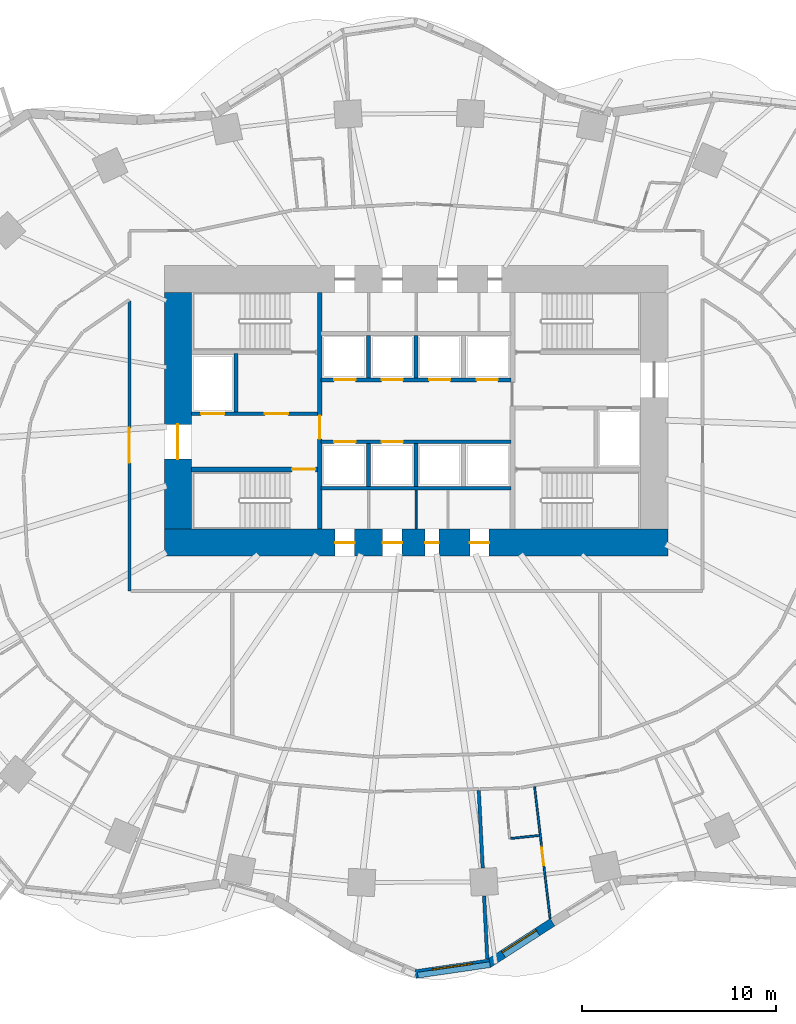
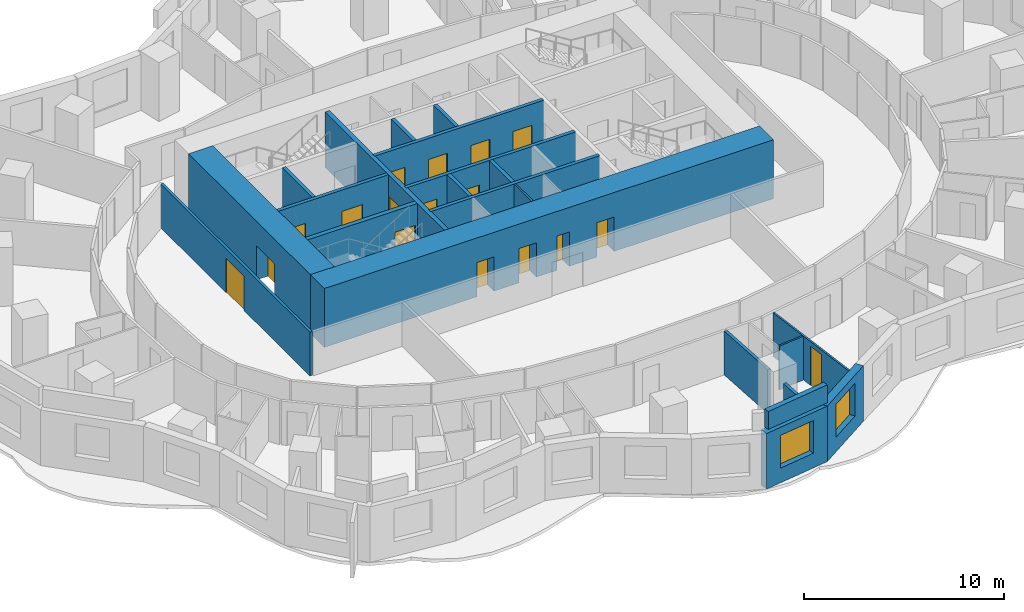
# One storey, part 5 of 11: 22 walls, 17 doors, 2 windows, 19 openings.
"""IFC4 building model written with IfcOpenShell, lengths in metres."""

from ifc_helpers import new_model, si_unit, direction, frame, frame_2d, origin, place, context, subcontext, project, spatial, rectangle, extrude, material, layer, layer_set, type_object, element, fill, save


model = new_model("IFC4")

# Units and contexts
model_context = context("Model", 3, precision=1e-05, world=origin(), true_north=direction((0.0, 1.0)))
body_context = subcontext(model_context, "Body", "Model", "MODEL_VIEW")
ifc_project = project(units=[si_unit("LENGTHUNIT", "METRE"), si_unit("AREAUNIT", "SQUARE_METRE"), si_unit("VOLUMEUNIT", "CUBIC_METRE"), si_unit("PLANEANGLEUNIT", "RADIAN"), si_unit("MASSUNIT", "GRAM", prefix="KILO")], contexts=[model_context])

# Site, building, storey
site_placement = place(None, origin())
site = spatial("IfcSite", under=ifc_project, at=site_placement, CompositionType="ELEMENT")
building_placement = place(site_placement, origin())
building = spatial("IfcBuilding", under=site, at=building_placement, Name="Rubra Terraces Tower", CompositionType="ELEMENT")
storey_placement = place(building_placement, frame((0.0, 0.0, 41.10009765625)))
storey = spatial("IfcBuildingStorey", under=building, at=storey_placement, Name="L07", CompositionType="ELEMENT", Elevation=41.10009765625)

# Walls
ifc_material_1 = material(Name="Twin plasterboard on staggered steel stud, acoustic mineral wool", Category="steel")
ifc_layer_1 = layer(ifc_material_1, 0.175048828125)
ifc_layer_set_1 = layer_set([ifc_layer_1], Name="Twin plasterboard on staggered steel stud, acoustic mineral wool")
wall_type_1 = type_object("IfcWallType", Name="ACOUSTIC PARTY WALL 175", PredefinedType="PARTITIONING", material=ifc_layer_set_1)
wall_1_placement = place(storey_placement, frame((3.67822265625, -23.810302734375, 0.0), z_axis=(0.0, 0.0, 1.0), x_axis=(-0.050406902628, 0.998728764063, 0.0)))
element("IfcWall", 1, at=wall_1_placement, inside=storey, type_object=wall_type_1, Name="PARTITION", PredefinedType="PARTITIONING", context=body_context, shape_type="SweptSolid", body=[
    extrude(rectangle(XDim=3.269287109375, YDim=0.175048828125, at=frame_2d((1.634765625, 0.0))), origin(), (0.0, 0.0, 1.0), 2.679931640625),
])
wall_2_placement = place(storey_placement, frame((3.44091796875, -19.10693359375, 0.0), z_axis=(0.0, 0.0, 1.0), x_axis=(-0.050399621173, 0.998729131539, 0.0)))
element("IfcWall", 2, at=wall_2_placement, inside=storey, type_object=wall_type_1, Name="PARTITION", PredefinedType="PARTITIONING", context=body_context, shape_type="SweptSolid", body=[
    extrude(rectangle(XDim=4.006103515625, YDim=0.175048828125, at=frame_2d((2.0029296875, 0.0))), origin(), (0.0, 0.0, 1.0), 2.679931640625),
])

# Wall, opening, window
ifc_material_2 = material(Name="Brick masonry red-brown", Category="masonry")
ifc_layer_2 = layer(ifc_material_2, 0.449951171875)
ifc_layer_set_2 = layer_set([ifc_layer_2], Name="Brick masonry red-brown")
wall_type_2 = type_object("IfcWallType", Name="Brick facade wall 450", PredefinedType="SOLIDWALL", material=ifc_layer_set_2)
wall_3_placement = place(storey_placement, frame((-0.032470703125, -24.58447265625, 0.0), z_axis=(0.0, 0.0, 1.0), x_axis=(0.989495330387, 0.144564833698, 0.0)))
wall_3 = element("IfcWall", 3, at=wall_3_placement, inside=storey, type_object=wall_type_2, Name="Facade wall L07 bay 31", PredefinedType="SOLIDWALL", context=body_context, shape_type="SweptSolid", body=[
    extrude(rectangle(XDim=3.880859375, YDim=0.449951171875, at=frame_2d((1.9404296875, 0.0))), origin(), (0.0, 0.0, 1.0), 3.39990234375),
])
opening_1_placement = place(wall_3_placement, frame((0.890380859375, 0.0, 0.89990234375)))
opening_1 = element("IfcOpeningElement", 4, at=opening_1_placement, cuts=wall_3, Name="Opening W1", PredefinedType="OPENING", context=body_context, shape_type="SweptSolid", body=[
    extrude(rectangle(XDim=2.10009765625, YDim=2.0, at=frame_2d((1.050048828125, 1.0))), frame((0.0, 0.23486328125, 0.0), z_axis=(0.0, -1.0, 0.0), x_axis=(1.0, 0.0, 0.0)), (0.0, 0.0, 1.0), 0.469970703125),
])
ifc_material_3 = material(Name="Clear glass in aluminium frame", Category="aluminium")
window_type = type_object("IfcWindowType", Name="Fixed deep-set window 2100 x 2000", PartitioningType="SINGLE_PANEL", PredefinedType="WINDOW", material=ifc_material_3)
window_1_placement = place(opening_1_placement, origin())
window_1 = element("IfcWindow", 5, at=window_1_placement, inside=storey, type_object=window_type, Name="Window L07 bay 31", OverallHeight=2.0, OverallWidth=2.10009765625, PartitioningType="SINGLE_PANEL", PredefinedType="WINDOW", context=body_context, shape_type="SweptSolid", body=[
    extrude(rectangle(XDim=2.10009765625, YDim=2.0, at=frame_2d((1.050048828125, 1.0))), frame((0.0, 0.135009765625, 0.0), z_axis=(0.0, -1.0, 0.0), x_axis=(1.0, 0.0, 0.0)), (0.0, 0.0, 1.0), 0.06005859375),
])
fill(opening_1, window_1)

wall_4_placement = place(storey_placement, frame((3.720703125, -24.055419921875, 0.0), z_axis=(0.0, 0.0, 1.0), x_axis=(0.840404438766, 0.54195975801, 0.0)))
wall_4 = element("IfcWall", 6, at=wall_4_placement, inside=storey, type_object=wall_type_2, Name="Facade wall L07 bay 32", PredefinedType="SOLIDWALL", context=body_context, shape_type="SweptSolid", body=[
    extrude(rectangle(XDim=3.960205078125, YDim=0.449951171875, at=frame_2d((1.97998046875, 0.0))), origin(), (0.0, 0.0, 1.0), 3.39990234375),
])
opening_2_placement = place(wall_4_placement, frame((0.929931640625, 0.0, 0.89990234375)))
opening_2 = element("IfcOpeningElement", 7, at=opening_2_placement, cuts=wall_4, Name="Opening W1", PredefinedType="OPENING", context=body_context, shape_type="SweptSolid", body=[
    extrude(rectangle(XDim=2.10009765625, YDim=2.0, at=frame_2d((1.050048828125, 1.0))), frame((0.0, 0.23486328125, 0.0), z_axis=(0.0, -1.0, 0.0), x_axis=(1.0, 0.0, 0.0)), (0.0, 0.0, 1.0), 0.469970703125),
])
window_2_placement = place(opening_2_placement, origin())
window_2 = element("IfcWindow", 8, at=window_2_placement, inside=storey, type_object=window_type, Name="Window L07 bay 32", OverallHeight=2.0, OverallWidth=2.10009765625, PartitioningType="SINGLE_PANEL", PredefinedType="WINDOW", context=body_context, shape_type="SweptSolid", body=[
    extrude(rectangle(XDim=2.10009765625, YDim=2.0, at=frame_2d((1.050048828125, 1.0))), frame((0.0, 0.135009765625, 0.0), z_axis=(0.0, -1.0, 0.0), x_axis=(1.0, 0.0, 0.0)), (0.0, 0.0, 1.0), 0.06005859375),
])
fill(opening_2, window_2)

# Wall
ifc_layer_3 = layer(ifc_material_2, 0.300048828125)
ifc_layer_set_3 = layer_set([ifc_layer_3], Name="Brick masonry red-brown")
wall_type_3 = type_object("IfcWallType", Name="Brick parapet 300", PredefinedType="PARAPET", material=ifc_layer_set_3)
wall_5_placement = place(storey_placement, frame((0.090576171875, -24.64208984375, 3.599853515625), z_axis=(0.0, 0.0, 1.0), x_axis=(0.989502691406, 0.144514441145, 0.0)))
element("IfcWall", 9, at=wall_5_placement, inside=storey, type_object=wall_type_3, Name="Parapet L07 bay 31", PredefinedType="PARAPET", context=body_context, shape_type="SweptSolid", body=[
    extrude(rectangle(XDim=3.767333984375, YDim=0.300048828125, at=frame_2d((1.8837890625, 0.0))), origin(), (0.0, 0.0, 1.0), 1.10009765625),
])

# Wall, openings, doors
ifc_material_4 = material(Name="Concrete C70", Category="concrete")
ifc_layer_4 = layer(ifc_material_4, 1.39990234375)
ifc_layer_set_4 = layer_set([ifc_layer_4], Name="Concrete C70")
wall_type_4 = type_object("IfcWallType", Name="CORE WALL 1400 C70", PredefinedType="SHEAR", material=ifc_layer_set_4)
wall_6_placement = place(storey_placement, frame((-13.0, -2.300048828125, 0.0), z_axis=(0.0, 0.0, 1.0), x_axis=(1.0, 0.0, 0.0)))
wall_6 = element("IfcWall", 10, at=wall_6_placement, inside=storey, type_object=wall_type_4, Name="CORE WALL S L07", PredefinedType="SHEAR", context=body_context, shape_type="SweptSolid", body=[
    extrude(rectangle(XDim=26.0, YDim=1.39990234375, at=frame_2d((13.0, 0.0))), origin(), (0.0, 0.0, 1.0), 3.599853515625),
])
opening_3_placement = place(wall_6_placement, frame((8.824951171875, 0.0, 0.0)))
opening_3 = element("IfcOpeningElement", 11, at=opening_3_placement, cuts=wall_6, Name="Opening L07.C19", PredefinedType="OPENING", context=body_context, shape_type="SweptSolid", body=[
    extrude(rectangle(XDim=1.0, YDim=2.10009765625, at=frame_2d((0.5, 1.050048828125))), frame((0.0, 0.7099609375, 0.0), z_axis=(0.0, -1.0, 0.0), x_axis=(1.0, 0.0, 0.0)), (0.0, 0.0, 1.0), 1.419921875),
])
opening_4_placement = place(wall_6_placement, frame((11.27490234375, 0.0, 0.0)))
opening_4 = element("IfcOpeningElement", 12, at=opening_4_placement, cuts=wall_6, Name="Opening L07.C20", PredefinedType="OPENING", context=body_context, shape_type="SweptSolid", body=[
    extrude(rectangle(XDim=1.0, YDim=2.10009765625, at=frame_2d((0.5, 1.050048828125))), frame((0.0, 0.7099609375, 0.0), z_axis=(0.0, -1.0, 0.0), x_axis=(1.0, 0.0, 0.0)), (0.0, 0.0, 1.0), 1.419921875),
])
opening_5_placement = place(wall_6_placement, frame((13.47509765625, 0.0, 0.0)))
opening_5 = element("IfcOpeningElement", 13, at=opening_5_placement, cuts=wall_6, Name="Opening L07.C21", PredefinedType="OPENING", context=body_context, shape_type="SweptSolid", body=[
    extrude(rectangle(XDim=0.699951171875, YDim=2.10009765625, at=frame_2d((0.35009765625, 1.050048828125))), frame((0.0, 0.7099609375, 0.0), z_axis=(0.0, -1.0, 0.0), x_axis=(1.0, 0.0, 0.0)), (0.0, 0.0, 1.0), 1.419921875),
])
opening_6_placement = place(wall_6_placement, frame((15.77490234375, 0.0, 0.0)))
opening_6 = element("IfcOpeningElement", 14, at=opening_6_placement, cuts=wall_6, Name="Opening L07.C22", PredefinedType="OPENING", context=body_context, shape_type="SweptSolid", body=[
    extrude(rectangle(XDim=1.0, YDim=2.10009765625, at=frame_2d((0.5, 1.050048828125))), frame((0.0, 0.7099609375, 0.0), z_axis=(0.0, -1.0, 0.0), x_axis=(1.0, 0.0, 0.0)), (0.0, 0.0, 1.0), 1.419921875),
])
ifc_material_5 = material(Name="Painted steel", Category="steel")
door_type_1 = type_object("IfcDoorType", Name="Fire door 1000x2100 single", OperationType="NOTDEFINED", PredefinedType="DOOR", material=ifc_material_5)
door_1_placement = place(opening_3_placement, origin())
door_1 = element("IfcDoor", 15, at=door_1_placement, inside=storey, type_object=door_type_1, Name="Guest pantry door", OperationType="SINGLE_SWING_LEFT", OverallHeight=2.10009765625, OverallWidth=1.0, PredefinedType="DOOR", context=body_context, shape_type="SweptSolid", body=[
    extrude(rectangle(XDim=1.0, YDim=2.10009765625, at=frame_2d((0.5, 1.050048828125))), frame((0.0, 0.02490234375, 0.0), z_axis=(0.0, -1.0, 0.0), x_axis=(1.0, 0.0, 0.0)), (0.0, 0.0, 1.0), 0.050048828125),
])
fill(opening_3, door_1)
door_2_placement = place(opening_4_placement, origin())
door_2 = element("IfcDoor", 16, at=door_2_placement, inside=storey, type_object=door_type_1, Name="Linen store door", OperationType="SINGLE_SWING_RIGHT", OverallHeight=2.10009765625, OverallWidth=1.0, PredefinedType="DOOR", context=body_context, shape_type="SweptSolid", body=[
    extrude(rectangle(XDim=1.0, YDim=2.10009765625, at=frame_2d((0.5, 1.050048828125))), frame((0.0, 0.02490234375, 0.0), z_axis=(0.0, -1.0, 0.0), x_axis=(1.0, 0.0, 0.0)), (0.0, 0.0, 1.0), 0.050048828125),
])
fill(opening_4, door_2)
door_3_placement = place(opening_6_placement, origin())
door_3 = element("IfcDoor", 17, at=door_3_placement, inside=storey, type_object=door_type_1, Name="Housekeeping store door", OperationType="SINGLE_SWING_RIGHT", OverallHeight=2.10009765625, OverallWidth=1.0, PredefinedType="DOOR", context=body_context, shape_type="SweptSolid", body=[
    extrude(rectangle(XDim=1.0, YDim=2.10009765625, at=frame_2d((0.5, 1.050048828125))), frame((0.0, 0.02490234375, 0.0), z_axis=(0.0, -1.0, 0.0), x_axis=(1.0, 0.0, 0.0)), (0.0, 0.0, 1.0), 0.050048828125),
])
fill(opening_6, door_3)
door_type_2 = type_object("IfcDoorType", Name="Riser access door 700x2100 single", OperationType="NOTDEFINED", PredefinedType="DOOR", material=ifc_material_5)
door_4_placement = place(opening_5_placement, origin())
door_4 = element("IfcDoor", 18, at=door_4_placement, inside=storey, type_object=door_type_2, Name="Electrical riser room door", OperationType="SINGLE_SWING_LEFT", OverallHeight=2.10009765625, OverallWidth=0.699951171875, PredefinedType="DOOR", context=body_context, shape_type="SweptSolid", body=[
    extrude(rectangle(XDim=0.699951171875, YDim=2.10009765625, at=frame_2d((0.35009765625, 1.050048828125))), frame((0.0, 0.02490234375, 0.0), z_axis=(0.0, -1.0, 0.0), x_axis=(1.0, 0.0, 0.0)), (0.0, 0.0, 1.0), 0.050048828125),
])
fill(opening_5, door_4)

# Wall, opening, door
wall_7_placement = place(storey_placement, frame((-12.300048828125, -1.60009765625, 0.0), z_axis=(0.0, 0.0, 1.0), x_axis=(0.0, 1.0, 0.0)))
wall_7 = element("IfcWall", 19, at=wall_7_placement, inside=storey, type_object=wall_type_4, Name="CORE WALL W L07", PredefinedType="SHEAR", context=body_context, shape_type="SweptSolid", body=[
    extrude(rectangle(XDim=12.2001953125, YDim=1.39990234375, at=frame_2d((6.10009765625, 0.0))), origin(), (0.0, 0.0, 1.0), 3.599853515625),
])
opening_7_placement = place(wall_7_placement, frame((3.60009765625, 0.0, 0.0)))
opening_7 = element("IfcOpeningElement", 20, at=opening_7_placement, cuts=wall_7, Name="Opening L07.C01", PredefinedType="OPENING", context=body_context, shape_type="SweptSolid", body=[
    extrude(rectangle(XDim=1.800048828125, YDim=2.10009765625, at=frame_2d((0.89990234375, 1.050048828125))), frame((0.0, 0.7099609375, 0.0), z_axis=(0.0, -1.0, 0.0), x_axis=(1.0, 0.0, 0.0)), (0.0, 0.0, 1.0), 1.419921875),
])
door_type_3 = type_object("IfcDoorType", Name="Fire door 1800x2100 double", OperationType="NOTDEFINED", PredefinedType="DOOR", material=ifc_material_5)
door_5_placement = place(opening_7_placement, origin())
door_5 = element("IfcDoor", 21, at=door_5_placement, inside=storey, type_object=door_type_3, Name="Core entrance door FF1", OperationType="DOUBLE_DOOR_SINGLE_SWING", OverallHeight=2.10009765625, OverallWidth=1.800048828125, PredefinedType="DOOR", context=body_context, shape_type="SweptSolid", body=[
    extrude(rectangle(XDim=1.800048828125, YDim=2.10009765625, at=frame_2d((0.89990234375, 1.050048828125))), frame((0.0, 0.02490234375, 0.0), z_axis=(0.0, -1.0, 0.0), x_axis=(1.0, 0.0, 0.0)), (0.0, 0.0, 1.0), 0.050048828125),
])
fill(opening_7, door_5)

ifc_material_6 = material(Name="Plasterboard on steel stud, mineral wool infill", Category="steel")
ifc_layer_5 = layer(ifc_material_6, 0.14990234375)
ifc_layer_set_5 = layer_set([ifc_layer_5], Name="Plasterboard on steel stud, mineral wool infill")
wall_type_5 = type_object("IfcWallType", Name="CORRIDOR PARTITION 150", PredefinedType="PARTITIONING", material=ifc_layer_set_5)
wall_8_placement = place(storey_placement, frame((-14.800048828125, 10.159912109375, 0.0), z_axis=(0.0, 0.0, 1.0), x_axis=(0.0, -1.0, 0.0)))
wall_8 = element("IfcWall", 22, at=wall_8_placement, inside=storey, type_object=wall_type_5, Name="PARTITION", PredefinedType="PARTITIONING", context=body_context, shape_type="SweptSolid", body=[
    extrude(rectangle(XDim=14.9599609375, YDim=0.14990234375, at=frame_2d((7.47998046875, 0.0))), origin(), (0.0, 0.0, 1.0), 2.679931640625),
])
opening_8_placement = place(wall_8_placement, frame((6.5419921875, 0.0, 0.0)))
opening_8 = element("IfcOpeningElement", 23, at=opening_8_placement, cuts=wall_8, Name="Opening 07-141", PredefinedType="OPENING", context=body_context, shape_type="SweptSolid", body=[
    extrude(rectangle(XDim=1.800048828125, YDim=2.10009765625, at=frame_2d((0.89990234375, 1.050048828125))), frame((0.0, 0.0849609375, 0.0), z_axis=(0.0, -1.0, 0.0), x_axis=(1.0, 0.0, 0.0)), (0.0, 0.0, 1.0), 0.169921875),
])
ifc_material_7 = material(Name="Painted timber door leaf, double", Category="wood")
door_type_4 = type_object("IfcDoorType", Name="ROOM DOUBLE DOOR 1800 X 2100", OperationType="DOUBLE_DOOR_SINGLE_SWING", PredefinedType="DOOR", material=ifc_material_7)
door_6_placement = place(opening_8_placement, origin())
door_6 = element("IfcDoor", 24, at=door_6_placement, inside=storey, type_object=door_type_4, Name="DOOR 07-141", OperationType="DOUBLE_DOOR_SINGLE_SWING", OverallHeight=2.10009765625, OverallWidth=1.800048828125, PredefinedType="DOOR", context=body_context, shape_type="SweptSolid", body=[
    extrude(rectangle(XDim=1.800048828125, YDim=2.10009765625, at=frame_2d((0.89990234375, 1.050048828125))), frame((0.0, 0.02490234375, 0.0), z_axis=(0.0, -1.0, 0.0), x_axis=(1.0, 0.0, 0.0)), (0.0, 0.0, 1.0), 0.050048828125),
])
fill(opening_8, door_6)

# Wall, openings, doors
ifc_material_8 = material(Name="Concrete C30", Category="concrete")
ifc_layer_6 = layer(ifc_material_8, 0.199951171875)
ifc_layer_set_6 = layer_set([ifc_layer_6], Name="Concrete C30")
wall_type_6 = type_object("IfcWallType", Name="Core wall 200 concrete", PredefinedType="SOLIDWALL", material=ifc_layer_set_6)
wall_9_placement = place(storey_placement, frame((-11.60009765625, 4.35009765625, 0.0), z_axis=(0.0, 0.0, 1.0), x_axis=(1.0, 0.0, 0.0)))
wall_9 = element("IfcWall", 25, at=wall_9_placement, inside=storey, type_object=wall_type_6, Name="STAIR WALL L07", PredefinedType="SOLIDWALL", context=body_context, shape_type="SweptSolid", body=[
    extrude(rectangle(XDim=6.5, YDim=0.199951171875, at=frame_2d((3.25, 0.0))), origin(), (0.0, 0.0, 1.0), 3.39990234375),
])
opening_9_placement = place(wall_9_placement, frame((3.800048828125, 0.0, 0.0)))
opening_9 = element("IfcOpeningElement", 26, at=opening_9_placement, cuts=wall_9, Name="Opening L07.C05", PredefinedType="OPENING", context=body_context, shape_type="SweptSolid", body=[
    extrude(rectangle(XDim=1.199951171875, YDim=2.10009765625, at=frame_2d((0.60009765625, 1.050048828125))), frame((0.0, 0.10986328125, 0.0), z_axis=(0.0, -1.0, 0.0), x_axis=(1.0, 0.0, 0.0)), (0.0, 0.0, 1.0), 0.219970703125),
])
opening_10_placement = place(wall_9_placement, frame((0.5, 0.0, 0.0)))
opening_10 = element("IfcOpeningElement", 27, at=opening_10_placement, cuts=wall_9, Name="Opening L07.C11", PredefinedType="OPENING", context=body_context, shape_type="SweptSolid", body=[
    extrude(rectangle(XDim=1.199951171875, YDim=2.10009765625, at=frame_2d((0.60009765625, 1.050048828125))), frame((0.0, 0.10986328125, 0.0), z_axis=(0.0, -1.0, 0.0), x_axis=(1.0, 0.0, 0.0)), (0.0, 0.0, 1.0), 0.219970703125),
])
door_type_5 = type_object("IfcDoorType", Name="Fire door 1200x2100 single", OperationType="NOTDEFINED", PredefinedType="DOOR", material=ifc_material_5)
door_7_placement = place(opening_9_placement, origin())
door_7 = element("IfcDoor", 28, at=door_7_placement, inside=storey, type_object=door_type_5, Name="Stair vestibule door S2", OperationType="SINGLE_SWING_LEFT", OverallHeight=2.10009765625, OverallWidth=1.199951171875, PredefinedType="DOOR", context=body_context, shape_type="SweptSolid", body=[
    extrude(rectangle(XDim=1.199951171875, YDim=2.10009765625, at=frame_2d((0.60009765625, 1.050048828125))), frame((0.0, 0.02490234375, 0.0), z_axis=(0.0, -1.0, 0.0), x_axis=(1.0, 0.0, 0.0)), (0.0, 0.0, 1.0), 0.050048828125),
])
fill(opening_9, door_7)
ifc_material_9 = material(Name="Stainless steel", Category="steel")
door_type_6 = type_object("IfcDoorType", Name="Lift landing door 1200x2100", OperationType="NOTDEFINED", PredefinedType="DOOR", material=ifc_material_9)
door_8_placement = place(opening_10_placement, origin())
door_8 = element("IfcDoor", 29, at=door_8_placement, inside=storey, type_object=door_type_6, Name="Landing door FF1", OperationType="SLIDING_TO_RIGHT", OverallHeight=2.10009765625, OverallWidth=1.199951171875, PredefinedType="DOOR", context=body_context, shape_type="SweptSolid", body=[
    extrude(rectangle(XDim=1.199951171875, YDim=2.10009765625, at=frame_2d((0.60009765625, 1.050048828125))), frame((0.0, 0.02490234375, 0.0), z_axis=(0.0, -1.0, 0.0), x_axis=(1.0, 0.0, 0.0)), (0.0, 0.0, 1.0), 0.050048828125),
])
fill(opening_10, door_8)

# Walls
wall_10_placement = place(storey_placement, frame((-9.300048828125, 4.449951171875, 0.0), z_axis=(0.0, 0.0, 1.0), x_axis=(0.0, 1.0, 0.0)))
element("IfcWall", 30, at=wall_10_placement, inside=storey, type_object=wall_type_6, Name="STAIR WALL L07", PredefinedType="SOLIDWALL", context=body_context, shape_type="SweptSolid", body=[
    extrude(rectangle(XDim=3.0, YDim=0.199951171875, at=frame_2d((1.5, 0.0))), origin(), (0.0, 0.0, 1.0), 3.39990234375),
])
wall_11_placement = place(storey_placement, frame((-4.89990234375, 0.5, 0.0), z_axis=(0.0, 0.0, 1.0), x_axis=(1.0, 0.0, 0.0)))
element("IfcWall", 31, at=wall_11_placement, inside=storey, type_object=wall_type_6, Name="LIFT SHAFT WALL L07", PredefinedType="SOLIDWALL", context=body_context, shape_type="SweptSolid", body=[
    extrude(rectangle(XDim=9.7998046875, YDim=0.199951171875, at=frame_2d((4.89990234375, 0.0))), origin(), (0.0, 0.0, 1.0), 3.39990234375),
])

# Wall, openings, doors
wall_12_placement = place(storey_placement, frame((-4.89990234375, 2.89990234375, 0.0), z_axis=(0.0, 0.0, 1.0), x_axis=(1.0, 0.0, 0.0)))
wall_12 = element("IfcWall", 32, at=wall_12_placement, inside=storey, type_object=wall_type_6, Name="LIFT SHAFT WALL L07", PredefinedType="SOLIDWALL", context=body_context, shape_type="SweptSolid", body=[
    extrude(rectangle(XDim=9.7998046875, YDim=0.199951171875, at=frame_2d((4.89990234375, 0.0))), origin(), (0.0, 0.0, 1.0), 3.39990234375),
])
opening_11_placement = place(wall_12_placement, frame((0.675048828125, 0.0, 0.0)))
opening_11 = element("IfcOpeningElement", 33, at=opening_11_placement, cuts=wall_12, Name="Opening L07.C13", PredefinedType="OPENING", context=body_context, shape_type="SweptSolid", body=[
    extrude(rectangle(XDim=1.10009765625, YDim=2.10009765625, at=frame_2d((0.550048828125, 1.050048828125))), frame((0.0, 0.10986328125, 0.0), z_axis=(0.0, -1.0, 0.0), x_axis=(1.0, 0.0, 0.0)), (0.0, 0.0, 1.0), 0.219970703125),
])
opening_12_placement = place(wall_12_placement, frame((3.125, 0.0, 0.0)))
opening_12 = element("IfcOpeningElement", 34, at=opening_12_placement, cuts=wall_12, Name="Opening L07.C14", PredefinedType="OPENING", context=body_context, shape_type="SweptSolid", body=[
    extrude(rectangle(XDim=1.10009765625, YDim=2.10009765625, at=frame_2d((0.550048828125, 1.050048828125))), frame((0.0, 0.10986328125, 0.0), z_axis=(0.0, -1.0, 0.0), x_axis=(1.0, 0.0, 0.0)), (0.0, 0.0, 1.0), 0.219970703125),
])
door_type_7 = type_object("IfcDoorType", Name="Lift landing door 1100x2100", OperationType="NOTDEFINED", PredefinedType="DOOR", material=ifc_material_9)
door_9_placement = place(opening_11_placement, origin())
door_9 = element("IfcDoor", 35, at=door_9_placement, inside=storey, type_object=door_type_7, Name="Landing door LB1", OperationType="SLIDING_TO_RIGHT", OverallHeight=2.10009765625, OverallWidth=1.10009765625, PredefinedType="DOOR", context=body_context, shape_type="SweptSolid", body=[
    extrude(rectangle(XDim=1.10009765625, YDim=2.10009765625, at=frame_2d((0.550048828125, 1.050048828125))), frame((0.0, 0.02490234375, 0.0), z_axis=(0.0, -1.0, 0.0), x_axis=(1.0, 0.0, 0.0)), (0.0, 0.0, 1.0), 0.050048828125),
])
fill(opening_11, door_9)
door_10_placement = place(opening_12_placement, origin())
door_10 = element("IfcDoor", 36, at=door_10_placement, inside=storey, type_object=door_type_7, Name="Landing door LB2", OperationType="SLIDING_TO_LEFT", OverallHeight=2.10009765625, OverallWidth=1.10009765625, PredefinedType="DOOR", context=body_context, shape_type="SweptSolid", body=[
    extrude(rectangle(XDim=1.10009765625, YDim=2.10009765625, at=frame_2d((0.550048828125, 1.050048828125))), frame((0.0, 0.02490234375, 0.0), z_axis=(0.0, -1.0, 0.0), x_axis=(1.0, 0.0, 0.0)), (0.0, 0.0, 1.0), 0.050048828125),
])
fill(opening_12, door_10)

wall_13_placement = place(storey_placement, frame((-4.89990234375, 6.10009765625, 0.0), z_axis=(0.0, 0.0, 1.0), x_axis=(1.0, 0.0, 0.0)))
wall_13 = element("IfcWall", 37, at=wall_13_placement, inside=storey, type_object=wall_type_6, Name="LIFT SHAFT WALL L07", PredefinedType="SOLIDWALL", context=body_context, shape_type="SweptSolid", body=[
    extrude(rectangle(XDim=9.7998046875, YDim=0.199951171875, at=frame_2d((4.89990234375, 0.0))), origin(), (0.0, 0.0, 1.0), 3.39990234375),
])
opening_13_placement = place(wall_13_placement, frame((0.675048828125, 0.0, 0.0)))
opening_13 = element("IfcOpeningElement", 38, at=opening_13_placement, cuts=wall_13, Name="Opening L07.C15", PredefinedType="OPENING", context=body_context, shape_type="SweptSolid", body=[
    extrude(rectangle(XDim=1.10009765625, YDim=2.10009765625, at=frame_2d((0.550048828125, 1.050048828125))), frame((0.0, 0.10986328125, 0.0), z_axis=(0.0, -1.0, 0.0), x_axis=(1.0, 0.0, 0.0)), (0.0, 0.0, 1.0), 0.219970703125),
])
opening_14_placement = place(wall_13_placement, frame((3.125, 0.0, 0.0)))
opening_14 = element("IfcOpeningElement", 39, at=opening_14_placement, cuts=wall_13, Name="Opening L07.C16", PredefinedType="OPENING", context=body_context, shape_type="SweptSolid", body=[
    extrude(rectangle(XDim=1.10009765625, YDim=2.10009765625, at=frame_2d((0.550048828125, 1.050048828125))), frame((0.0, 0.10986328125, 0.0), z_axis=(0.0, -1.0, 0.0), x_axis=(1.0, 0.0, 0.0)), (0.0, 0.0, 1.0), 0.219970703125),
])
opening_15_placement = place(wall_13_placement, frame((5.574951171875, 0.0, 0.0)))
opening_15 = element("IfcOpeningElement", 40, at=opening_15_placement, cuts=wall_13, Name="Opening L07.C17", PredefinedType="OPENING", context=body_context, shape_type="SweptSolid", body=[
    extrude(rectangle(XDim=1.10009765625, YDim=2.10009765625, at=frame_2d((0.550048828125, 1.050048828125))), frame((0.0, 0.10986328125, 0.0), z_axis=(0.0, -1.0, 0.0), x_axis=(1.0, 0.0, 0.0)), (0.0, 0.0, 1.0), 0.219970703125),
])
opening_16_placement = place(wall_13_placement, frame((8.02490234375, 0.0, 0.0)))
opening_16 = element("IfcOpeningElement", 41, at=opening_16_placement, cuts=wall_13, Name="Opening L07.C18", PredefinedType="OPENING", context=body_context, shape_type="SweptSolid", body=[
    extrude(rectangle(XDim=1.10009765625, YDim=2.10009765625, at=frame_2d((0.550048828125, 1.050048828125))), frame((0.0, 0.10986328125, 0.0), z_axis=(0.0, -1.0, 0.0), x_axis=(1.0, 0.0, 0.0)), (0.0, 0.0, 1.0), 0.219970703125),
])
door_11_placement = place(opening_13_placement, origin())
door_11 = element("IfcDoor", 42, at=door_11_placement, inside=storey, type_object=door_type_7, Name="Landing door LB3", OperationType="SLIDING_TO_RIGHT", OverallHeight=2.10009765625, OverallWidth=1.10009765625, PredefinedType="DOOR", context=body_context, shape_type="SweptSolid", body=[
    extrude(rectangle(XDim=1.10009765625, YDim=2.10009765625, at=frame_2d((0.550048828125, 1.050048828125))), frame((0.0, 0.02490234375, 0.0), z_axis=(0.0, -1.0, 0.0), x_axis=(1.0, 0.0, 0.0)), (0.0, 0.0, 1.0), 0.050048828125),
])
fill(opening_13, door_11)
door_12_placement = place(opening_14_placement, origin())
door_12 = element("IfcDoor", 43, at=door_12_placement, inside=storey, type_object=door_type_7, Name="Landing door LB4", OperationType="SLIDING_TO_LEFT", OverallHeight=2.10009765625, OverallWidth=1.10009765625, PredefinedType="DOOR", context=body_context, shape_type="SweptSolid", body=[
    extrude(rectangle(XDim=1.10009765625, YDim=2.10009765625, at=frame_2d((0.550048828125, 1.050048828125))), frame((0.0, 0.02490234375, 0.0), z_axis=(0.0, -1.0, 0.0), x_axis=(1.0, 0.0, 0.0)), (0.0, 0.0, 1.0), 0.050048828125),
])
fill(opening_14, door_12)
door_13_placement = place(opening_15_placement, origin())
door_13 = element("IfcDoor", 44, at=door_13_placement, inside=storey, type_object=door_type_7, Name="Landing door LB5", OperationType="SLIDING_TO_RIGHT", OverallHeight=2.10009765625, OverallWidth=1.10009765625, PredefinedType="DOOR", context=body_context, shape_type="SweptSolid", body=[
    extrude(rectangle(XDim=1.10009765625, YDim=2.10009765625, at=frame_2d((0.550048828125, 1.050048828125))), frame((0.0, 0.02490234375, 0.0), z_axis=(0.0, -1.0, 0.0), x_axis=(1.0, 0.0, 0.0)), (0.0, 0.0, 1.0), 0.050048828125),
])
fill(opening_15, door_13)
door_14_placement = place(opening_16_placement, origin())
door_14 = element("IfcDoor", 45, at=door_14_placement, inside=storey, type_object=door_type_7, Name="Landing door LB6", OperationType="SLIDING_TO_LEFT", OverallHeight=2.10009765625, OverallWidth=1.10009765625, PredefinedType="DOOR", context=body_context, shape_type="SweptSolid", body=[
    extrude(rectangle(XDim=1.10009765625, YDim=2.10009765625, at=frame_2d((0.550048828125, 1.050048828125))), frame((0.0, 0.02490234375, 0.0), z_axis=(0.0, -1.0, 0.0), x_axis=(1.0, 0.0, 0.0)), (0.0, 0.0, 1.0), 0.050048828125),
])
fill(opening_16, door_14)

# Walls
for number, where, z_axis, x_axis, name in (
    (46, (-2.449951171875, 0.60009765625, 0.0), (0.0, 0.0, 1.0), (0.0, 1.0, 0.0), "LIFT SHAFT WALL L07"),
    (47, (0.0, 0.60009765625, 0.0), (0.0, 0.0, 1.0), (0.0, 1.0, 0.0), "LIFT SHAFT WALL L07"),
    (48, (-2.449951171875, 6.199951171875, 0.0), (0.0, 0.0, 1.0), (0.0, 1.0, 0.0), "LIFT SHAFT WALL L07"),
    (49, (0.0, 6.199951171875, 0.0), (0.0, 0.0, 1.0), (0.0, 1.0, 0.0), "LIFT SHAFT WALL L07"),
):
    element("IfcWall", number, at=place(storey_placement, frame(where, z_axis=z_axis, x_axis=x_axis)), inside=storey, type_object=wall_type_6, Name=name, PredefinedType="SOLIDWALL", context=body_context, shape_type="SweptSolid", body=[
        extrude(rectangle(XDim=2.199951171875, YDim=0.199951171875, at=frame_2d((1.10009765625, 0.0))), origin(), (0.0, 0.0, 1.0), 3.39990234375),
    ])

# Wall, opening, door
ifc_material_10 = material(Name="Plasterboard on steel stud", Category="steel")
ifc_layer_7 = layer(ifc_material_10, 0.10009765625)
ifc_layer_set_7 = layer_set([ifc_layer_7], Name="Plasterboard on steel stud")
wall_type_7 = type_object("IfcWallType", Name="ROOM PARTITION 100", PredefinedType="PARTITIONING", material=ifc_layer_set_7)
wall_14_placement = place(storey_placement, frame((6.922607421875, -21.71826171875, 0.0), z_axis=(0.0, 0.0, 1.0), x_axis=(-0.117159623324, 0.993113096612, 0.0)))
wall_14 = element("IfcWall", 50, at=wall_14_placement, inside=storey, type_object=wall_type_7, Name="PARTITION", PredefinedType="PARTITIONING", context=body_context, shape_type="SweptSolid", body=[
    extrude(rectangle(XDim=6.8515625, YDim=0.10009765625, at=frame_2d((3.42578125, 0.0))), origin(), (0.0, 0.0, 1.0), 2.679931640625),
])
opening_17_placement = place(wall_14_placement, frame((2.777099609375, 0.0, 0.0)))
opening_17 = element("IfcOpeningElement", 51, at=opening_17_placement, cuts=wall_14, Name="Opening 07-132", PredefinedType="OPENING", context=body_context, shape_type="SweptSolid", body=[
    extrude(rectangle(XDim=0.89990234375, YDim=2.39990234375, at=frame_2d((0.449951171875, 1.199951171875))), frame((0.0, 0.06005859375, 0.0), z_axis=(0.0, -1.0, 0.0), x_axis=(1.0, 0.0, 0.0)), (0.0, 0.0, 1.0), 0.1201171875),
])
ifc_material_11 = material(Name="Veneered timber door leaf, fire-rated", Category="wood")
door_type_8 = type_object("IfcDoorType", Name="SUITE ENTRANCE DOOR 900 X 2400", OperationType="SINGLE_SWING_LEFT", PredefinedType="DOOR", material=ifc_material_11)
door_15_placement = place(opening_17_placement, origin())
door_15 = element("IfcDoor", 52, at=door_15_placement, inside=storey, type_object=door_type_8, Name="DOOR 07-132", OperationType="SINGLE_SWING_LEFT", OverallHeight=2.39990234375, OverallWidth=0.89990234375, PredefinedType="DOOR", context=body_context, shape_type="SweptSolid", body=[
    extrude(rectangle(XDim=0.89990234375, YDim=2.39990234375, at=frame_2d((0.449951171875, 1.199951171875))), frame((0.0, 0.02490234375, 0.0), z_axis=(0.0, -1.0, 0.0), x_axis=(1.0, 0.0, 0.0)), (0.0, 0.0, 1.0), 0.050048828125),
])
fill(opening_17, door_15)

# Walls
wall_15_placement = place(storey_placement, frame((4.8876953125, -17.580810546875, 0.0), z_axis=(0.0, 0.0, 1.0), x_axis=(0.994596876319, 0.103812588907, 0.0)))
element("IfcWall", 53, at=wall_15_placement, inside=storey, type_object=wall_type_7, Name="PARTITION", PredefinedType="PARTITIONING", context=body_context, shape_type="SweptSolid", body=[
    extrude(rectangle(XDim=1.486328125, YDim=0.10009765625, at=frame_2d((0.7431640625, 0.0))), origin(), (0.0, 0.0, 1.0), 2.679931640625),
])
ifc_material_12 = material(Name="Blockwork", Category="masonry")
ifc_layer_8 = layer(ifc_material_12, 0.10009765625)
ifc_layer_set_8 = layer_set([ifc_layer_8], Name="Blockwork")
wall_type_8 = type_object("IfcWallType", Name="Service partition 100 blockwork", PredefinedType="PARTITIONING", material=ifc_layer_set_8)
wall_16_placement = place(storey_placement, frame((0.0, -1.60009765625, 0.0), z_axis=(0.0, 0.0, 1.0), x_axis=(0.0, 1.0, 0.0)))
element("IfcWall", 54, at=wall_16_placement, inside=storey, type_object=wall_type_8, Name="SERVICE ROOM PARTITION L07", PredefinedType="PARTITIONING", context=body_context, shape_type="SweptSolid", body=[
    extrude(rectangle(XDim=2.0, YDim=0.10009765625, at=frame_2d((1.0, 0.0))), origin(), (0.0, 0.0, 1.0), 3.39990234375),
])

# Wall, opening, door
ifc_material_13 = material(Name="Concrete C40", Category="concrete")
ifc_layer_9 = layer(ifc_material_13, 0.25)
ifc_layer_set_9 = layer_set([ifc_layer_9], Name="Concrete C40")
wall_type_9 = type_object("IfcWallType", Name="Stair enclosure wall 250 concrete", PredefinedType="SOLIDWALL", material=ifc_layer_set_9)
wall_17_placement = place(storey_placement, frame((-11.60009765625, 1.47509765625, 0.0), z_axis=(0.0, 0.0, 1.0), x_axis=(1.0, 0.0, 0.0)))
wall_17 = element("IfcWall", 55, at=wall_17_placement, inside=storey, type_object=wall_type_9, Name="STAIR WALL L07", PredefinedType="SOLIDWALL", context=body_context, shape_type="SweptSolid", body=[
    extrude(rectangle(XDim=6.5, YDim=0.25, at=frame_2d((3.25, 0.0))), origin(), (0.0, 0.0, 1.0), 3.39990234375),
])
opening_18_placement = place(wall_17_placement, frame((5.199951171875, 0.0, 0.0)))
opening_18 = element("IfcOpeningElement", 56, at=opening_18_placement, cuts=wall_17, Name="Opening L07.C07", PredefinedType="OPENING", context=body_context, shape_type="SweptSolid", body=[
    extrude(rectangle(XDim=1.199951171875, YDim=2.10009765625, at=frame_2d((0.60009765625, 1.050048828125))), frame((0.0, 0.135009765625, 0.0), z_axis=(0.0, -1.0, 0.0), x_axis=(1.0, 0.0, 0.0)), (0.0, 0.0, 1.0), 0.27001953125),
])
door_16_placement = place(opening_18_placement, origin())
door_16 = element("IfcDoor", 57, at=door_16_placement, inside=storey, type_object=door_type_5, Name="Stair door S1", OperationType="SINGLE_SWING_LEFT", OverallHeight=2.10009765625, OverallWidth=1.199951171875, PredefinedType="DOOR", context=body_context, shape_type="SweptSolid", body=[
    extrude(rectangle(XDim=1.199951171875, YDim=2.10009765625, at=frame_2d((0.60009765625, 1.050048828125))), frame((0.0, 0.02490234375, 0.0), z_axis=(0.0, -1.0, 0.0), x_axis=(1.0, 0.0, 0.0)), (0.0, 0.0, 1.0), 0.050048828125),
])
fill(opening_18, door_16)

wall_18_placement = place(storey_placement, frame((-4.97509765625, -1.60009765625, 0.0), z_axis=(0.0, 0.0, 1.0), x_axis=(0.0, 1.0, 0.0)))
wall_18 = element("IfcWall", 58, at=wall_18_placement, inside=storey, type_object=wall_type_9, Name="CORE LOBBY WALL L07", PredefinedType="SOLIDWALL", context=body_context, shape_type="SweptSolid", body=[
    extrude(rectangle(XDim=12.2001953125, YDim=0.25, at=frame_2d((6.10009765625, 0.0))), origin(), (0.0, 0.0, 1.0), 3.39990234375),
])
opening_19_placement = place(wall_18_placement, frame((4.64990234375, 0.0, 0.0)))
opening_19 = element("IfcOpeningElement", 59, at=opening_19_placement, cuts=wall_18, Name="Opening L07.C03", PredefinedType="OPENING", context=body_context, shape_type="SweptSolid", body=[
    extrude(rectangle(XDim=1.199951171875, YDim=2.10009765625, at=frame_2d((0.60009765625, 1.050048828125))), frame((0.0, 0.135009765625, 0.0), z_axis=(0.0, -1.0, 0.0), x_axis=(1.0, 0.0, 0.0)), (0.0, 0.0, 1.0), 0.27001953125),
])
door_17_placement = place(opening_19_placement, origin())
door_17 = element("IfcDoor", 60, at=door_17_placement, inside=storey, type_object=door_type_5, Name="Firefighting lobby door FF1", OperationType="SINGLE_SWING_LEFT", OverallHeight=2.10009765625, OverallWidth=1.199951171875, PredefinedType="DOOR", context=body_context, shape_type="SweptSolid", body=[
    extrude(rectangle(XDim=1.199951171875, YDim=2.10009765625, at=frame_2d((0.60009765625, 1.050048828125))), frame((0.0, 0.02490234375, 0.0), z_axis=(0.0, -1.0, 0.0), x_axis=(1.0, 0.0, 0.0)), (0.0, 0.0, 1.0), 0.050048828125),
])
fill(opening_19, door_17)

save(model, "model.ifc")
